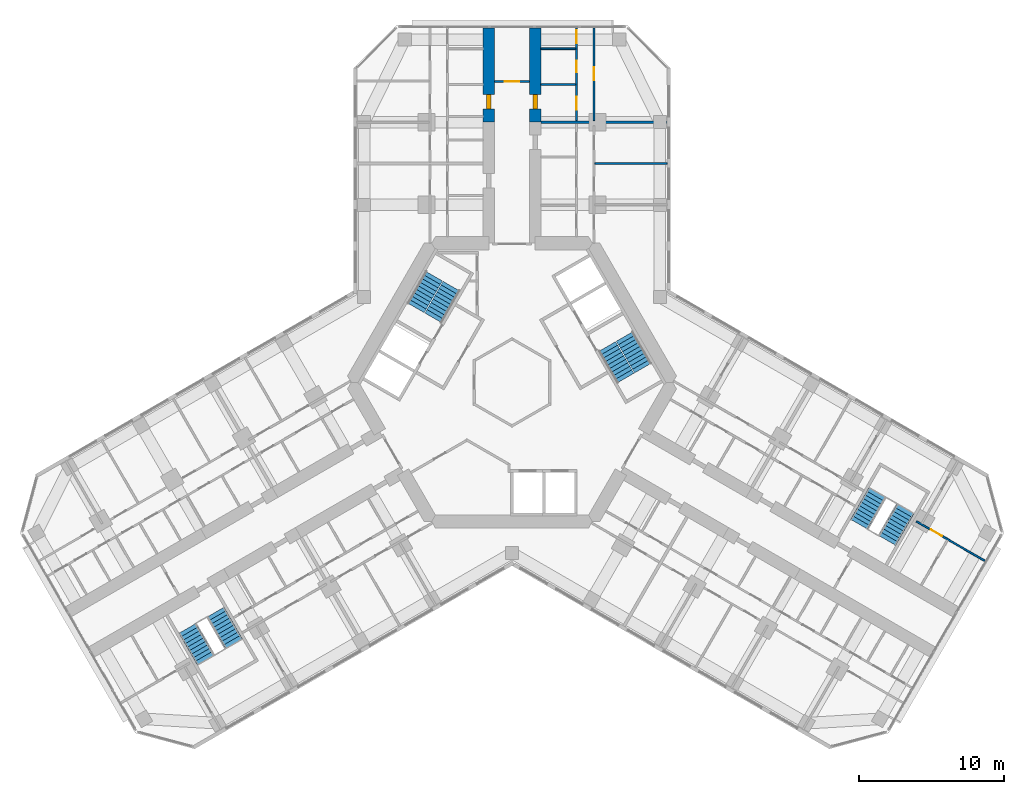
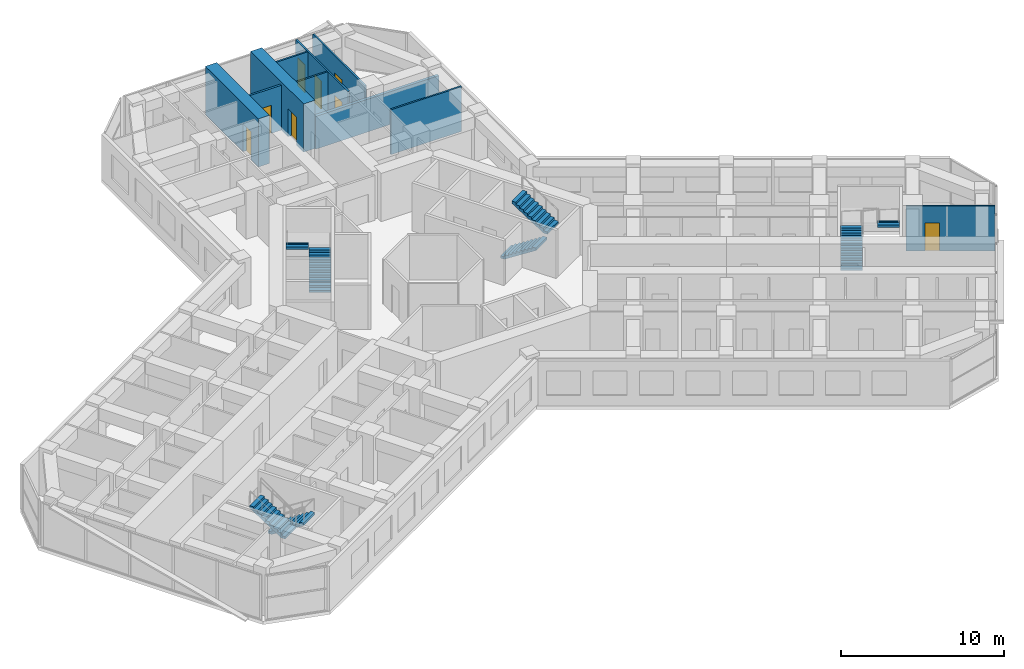
# One storey, part 18 of 19: 10 walls, 8 doors, 8 stair flights, 8 openings, 4 elements without a shape of their own.
"""IFC4 building model written with IfcOpenShell, lengths in metres."""

from ifc_helpers import new_model, si_unit, direction, frame, frame_2d, origin, place, context, subcontext, project, spatial, polyline, rectangle, outline, extrude, material, layer, layer_set, type_object, element, fill, aggregate, save


model = new_model("IFC4")

# Units and contexts
model_context = context("Model", 3, precision=1e-05, world=origin(), true_north=direction((0.0, 1.0)))
body_context = subcontext(model_context, "Body", "Model", "MODEL_VIEW")
ifc_project = project(units=[si_unit("LENGTHUNIT", "METRE"), si_unit("AREAUNIT", "SQUARE_METRE"), si_unit("VOLUMEUNIT", "CUBIC_METRE"), si_unit("PLANEANGLEUNIT", "RADIAN"), si_unit("MASSUNIT", "GRAM", prefix="KILO")], contexts=[model_context])

# Site, building, storey
site_placement = place(None, origin())
site = spatial("IfcSite", under=ifc_project, at=site_placement, CompositionType="ELEMENT")
building_placement = place(site_placement, origin())
building = spatial("IfcBuilding", under=site, at=building_placement, Name="Kosmar Iwan School Tower", CompositionType="ELEMENT")
storey_placement = place(building_placement, frame((0.0, 0.0, 158.0)))
storey = spatial("IfcBuildingStorey", under=building, at=storey_placement, Name="L39", CompositionType="ELEMENT", Elevation=158.0)

# Wall, opening, door
ifc_material_1 = material(Name="Concrete C50/60", Category="concrete")
ifc_layer_1 = layer(ifc_material_1, 0.800048828125)
ifc_layer_set_1 = layer_set([ifc_layer_1], Name="Corridor buttress wall 800")
wall_type_1 = type_object("IfcWallType", Name="Corridor buttress wall 800", PredefinedType="SHEAR", material=ifc_layer_set_1)
wall_1_placement = place(storey_placement, frame((-1.60009765625, 17.949951171875, 0.0), z_axis=(0.0, 0.0, 1.0), x_axis=(0.0, 1.0, 0.0)))
wall_1 = element("IfcWall", 1, at=wall_1_placement, inside=storey, type_object=wall_type_1, Name="Corridor wall AL bay 2", PredefinedType="SHEAR", context=body_context, shape_type="SweptSolid", body=[
    extrude(rectangle(XDim=6.4951171875, YDim=0.800048828125, at=frame_2d((3.24755859375, 0.0))), origin(), (0.0, 0.0, 1.0), 3.60009765625),
])
opening_1_placement = place(wall_1_placement, frame((0.89990234375, 0.0, 0.0)))
opening_1 = element("IfcOpeningElement", 2, at=opening_1_placement, cuts=wall_1, Name="Opening D1", PredefinedType="OPENING", context=body_context, shape_type="SweptSolid", body=[
    extrude(rectangle(XDim=1.0, YDim=2.10009765625, at=frame_2d((0.5, 1.050048828125))), frame((0.0, 0.412109375, 0.0), z_axis=(0.0, -1.0, 0.0), x_axis=(1.0, 0.0, 0.0)), (0.0, 0.0, 1.0), 0.823974609375),
])
ifc_material_2 = material(Name="Timber fire door in steel frame", Category="steel")
door_type_1 = type_object("IfcDoorType", Name="Flat entrance door 1000x2100", OperationType="SINGLE_SWING_LEFT", PredefinedType="DOOR", material=ifc_material_2)
door_1_placement = place(opening_1_placement, origin())
door_1 = element("IfcDoor", 3, at=door_1_placement, inside=storey, type_object=door_type_1, Name="Flat L39-AL2 entrance door", OperationType="SINGLE_SWING_LEFT", OverallHeight=2.10009765625, OverallWidth=1.0, PredefinedType="DOOR", context=body_context, shape_type="SweptSolid", body=[
    extrude(rectangle(XDim=1.0, YDim=2.10009765625, at=frame_2d((0.5, 1.050048828125))), frame((0.0, 0.14990234375, 0.0), z_axis=(0.0, -1.0, 0.0), x_axis=(1.0, 0.0, 0.0)), (0.0, 0.0, 1.0), 0.300048828125),
])
fill(opening_1, door_1)

wall_2_placement = place(storey_placement, frame((1.60009765625, 17.949951171875, 0.0), z_axis=(0.0, 0.0, 1.0), x_axis=(0.0, 1.0, 0.0)))
wall_2 = element("IfcWall", 4, at=wall_2_placement, inside=storey, type_object=wall_type_1, Name="Corridor wall AR bay 2", PredefinedType="SHEAR", context=body_context, shape_type="SweptSolid", body=[
    extrude(rectangle(XDim=6.4951171875, YDim=0.800048828125, at=frame_2d((3.24755859375, 0.0))), origin(), (0.0, 0.0, 1.0), 3.60009765625),
])
opening_2_placement = place(wall_2_placement, frame((0.89990234375, 0.0, 0.0)))
opening_2 = element("IfcOpeningElement", 5, at=opening_2_placement, cuts=wall_2, Name="Opening D1", PredefinedType="OPENING", context=body_context, shape_type="SweptSolid", body=[
    extrude(rectangle(XDim=1.0, YDim=2.10009765625, at=frame_2d((0.5, 1.050048828125))), frame((0.0, 0.412109375, 0.0), z_axis=(0.0, -1.0, 0.0), x_axis=(1.0, 0.0, 0.0)), (0.0, 0.0, 1.0), 0.823974609375),
])
door_2_placement = place(opening_2_placement, origin())
door_2 = element("IfcDoor", 6, at=door_2_placement, inside=storey, type_object=door_type_1, Name="Flat L39-AR2 entrance door", OperationType="SINGLE_SWING_RIGHT", OverallHeight=2.10009765625, OverallWidth=1.0, PredefinedType="DOOR", context=body_context, shape_type="SweptSolid", body=[
    extrude(rectangle(XDim=1.0, YDim=2.10009765625, at=frame_2d((0.5, 1.050048828125))), frame((0.0, 0.14990234375, 0.0), z_axis=(0.0, -1.0, 0.0), x_axis=(1.0, 0.0, 0.0)), (0.0, 0.0, 1.0), 0.300048828125),
])
fill(opening_2, door_2)

ifc_material_3 = material(Name="Gypsum board on steel studs, fire-rated", Category="steel")
ifc_layer_2 = layer(ifc_material_3, 0.14990234375)
ifc_layer_set_2 = layer_set([ifc_layer_2], Name="Corridor end wall 150")
wall_type_2 = type_object("IfcWallType", Name="Corridor end wall 150", PredefinedType="PARTITIONING", material=ifc_layer_set_2)
wall_3_placement = place(storey_placement, frame((1.199951171875, 20.75, 0.0), z_axis=(0.0, 0.0, 1.0), x_axis=(-1.0, 0.0, 0.0)))
wall_3 = element("IfcWall", 7, at=wall_3_placement, inside=storey, type_object=wall_type_2, Name="Partition L39-A-CE", PredefinedType="PARTITIONING", context=body_context, shape_type="SweptSolid", body=[
    extrude(rectangle(XDim=2.39990234375, YDim=0.14990234375, at=frame_2d((1.199951171875, 0.0))), origin(), (0.0, 0.0, 1.0), 3.35009765625),
])
opening_3_placement = place(wall_3_placement, frame((0.699951171875, 0.0, 0.0)))
opening_3 = element("IfcOpeningElement", 8, at=opening_3_placement, cuts=wall_3, Name="Opening D13", PredefinedType="OPENING", context=body_context, shape_type="SweptSolid", body=[
    extrude(rectangle(XDim=1.0, YDim=2.10009765625, at=frame_2d((0.5, 1.050048828125))), frame((0.0, 0.0869140625, 0.0), z_axis=(0.0, -1.0, 0.0), x_axis=(1.0, 0.0, 0.0)), (0.0, 0.0, 1.0), 0.173828125),
])
ifc_material_4 = material(Name="Timber fire door with vision panel", Category="wood")
door_type_2 = type_object("IfcDoorType", Name="Corridor end door 1000x2100", OperationType="SINGLE_SWING_LEFT", PredefinedType="DOOR", material=ifc_material_4)
door_3_placement = place(opening_3_placement, origin())
door_3 = element("IfcDoor", 9, at=door_3_placement, inside=storey, type_object=door_type_2, Name="Prayer room door L39-A", OperationType="SINGLE_SWING_RIGHT", OverallHeight=2.10009765625, OverallWidth=1.0, PredefinedType="DOOR", context=body_context, shape_type="SweptSolid", body=[
    extrude(rectangle(XDim=1.0, YDim=2.10009765625, at=frame_2d((0.5, 1.050048828125))), frame((0.0, 0.02490234375, 0.0), z_axis=(0.0, -1.0, 0.0), x_axis=(1.0, 0.0, 0.0)), (0.0, 0.0, 1.0), 0.050048828125),
])
fill(opening_3, door_3)

# Wall
ifc_material_5 = material(Name="Gypsum board on steel studs", Category="steel")
ifc_layer_3 = layer(ifc_material_5, 0.1201171875)
ifc_layer_set_3 = layer_set([ifc_layer_3], Name="Dwelling partition 120")
wall_type_3 = type_object("IfcWallType", Name="Dwelling partition 120", PredefinedType="PARTITIONING", material=ifc_layer_set_3)
wall_4_placement = place(storey_placement, frame((5.7099609375, 15.10009765625, 0.0), z_axis=(0.0, 0.0, 1.0), x_axis=(1.0, 0.0, 0.0)))
element("IfcWall", 10, at=wall_4_placement, inside=storey, type_object=wall_type_3, Name="Partition L39-AR1-X2", PredefinedType="PARTITIONING", context=body_context, shape_type="SweptSolid", body=[
    extrude(rectangle(XDim=4.989990234375, YDim=0.1201171875, at=frame_2d((2.4951171875, 0.0))), origin(), (0.0, 0.0, 1.0), 3.35009765625),
])

# Wall, openings, doors
wall_5_placement = place(storey_placement, frame((4.449951171875, 18.050048828125, 0.0), z_axis=(0.0, 0.0, 1.0), x_axis=(0.0, 1.0, 0.0)))
wall_5 = element("IfcWall", 11, at=wall_5_placement, inside=storey, type_object=wall_type_3, Name="Partition L39-AR2-W1", PredefinedType="PARTITIONING", context=body_context, shape_type="SweptSolid", body=[
    extrude(rectangle(XDim=6.39501953125, YDim=0.1201171875, at=frame_2d((3.197509765625, 0.0))), origin(), (0.0, 0.0, 1.0), 3.35009765625),
])
opening_4_placement = place(wall_5_placement, frame((0.75, 0.0, 0.0)))
opening_4 = element("IfcOpeningElement", 12, at=opening_4_placement, cuts=wall_5, Name="Opening D2", PredefinedType="OPENING", context=body_context, shape_type="SweptSolid", body=[
    extrude(rectangle(XDim=0.89990234375, YDim=2.10009765625, at=frame_2d((0.449951171875, 1.050048828125))), frame((0.0, 0.072021484375, 0.0), z_axis=(0.0, -1.0, 0.0), x_axis=(1.0, 0.0, 0.0)), (0.0, 0.0, 1.0), 0.14404296875),
])
opening_5_placement = place(wall_5_placement, frame((3.330078125, 0.0, 0.0)))
opening_5 = element("IfcOpeningElement", 13, at=opening_5_placement, cuts=wall_5, Name="Opening D3", PredefinedType="OPENING", context=body_context, shape_type="SweptSolid", body=[
    extrude(rectangle(XDim=0.800048828125, YDim=2.10009765625, at=frame_2d((0.39990234375, 1.050048828125))), frame((0.0, 0.072021484375, 0.0), z_axis=(0.0, -1.0, 0.0), x_axis=(1.0, 0.0, 0.0)), (0.0, 0.0, 1.0), 0.14404296875),
])
opening_6_placement = place(wall_5_placement, frame((5.330078125, 0.0, 0.0)))
opening_6 = element("IfcOpeningElement", 14, at=opening_6_placement, cuts=wall_5, Name="Opening D2", PredefinedType="OPENING", context=body_context, shape_type="SweptSolid", body=[
    extrude(rectangle(XDim=0.89990234375, YDim=2.10009765625, at=frame_2d((0.449951171875, 1.050048828125))), frame((0.0, 0.072021484375, 0.0), z_axis=(0.0, -1.0, 0.0), x_axis=(1.0, 0.0, 0.0)), (0.0, 0.0, 1.0), 0.14404296875),
])
ifc_material_6 = material(Name="Timber door in timber frame", Category="wood")
door_type_3 = type_object("IfcDoorType", Name="Internal door 900x2100", OperationType="SINGLE_SWING_LEFT", PredefinedType="DOOR", material=ifc_material_6)
door_4_placement = place(opening_4_placement, origin())
door_4 = element("IfcDoor", 15, at=door_4_placement, inside=storey, type_object=door_type_3, Name="Entrance hall door L39-AR2-S1", OperationType="SINGLE_SWING_RIGHT", OverallHeight=2.10009765625, OverallWidth=0.89990234375, PredefinedType="DOOR", context=body_context, shape_type="SweptSolid", body=[
    extrude(rectangle(XDim=0.89990234375, YDim=2.10009765625, at=frame_2d((0.449951171875, 1.050048828125))), frame((0.0, 0.02490234375, 0.0), z_axis=(0.0, -1.0, 0.0), x_axis=(1.0, 0.0, 0.0)), (0.0, 0.0, 1.0), 0.050048828125),
])
fill(opening_4, door_4)
door_5_placement = place(opening_6_placement, origin())
door_5 = element("IfcDoor", 16, at=door_5_placement, inside=storey, type_object=door_type_3, Name="Pantry door L39-AR2-S3", OperationType="SINGLE_SWING_RIGHT", OverallHeight=2.10009765625, OverallWidth=0.89990234375, PredefinedType="DOOR", context=body_context, shape_type="SweptSolid", body=[
    extrude(rectangle(XDim=0.89990234375, YDim=2.10009765625, at=frame_2d((0.449951171875, 1.050048828125))), frame((0.0, 0.02490234375, 0.0), z_axis=(0.0, -1.0, 0.0), x_axis=(1.0, 0.0, 0.0)), (0.0, 0.0, 1.0), 0.050048828125),
])
fill(opening_6, door_5)
ifc_material_7 = material(Name="Timber door in timber frame", Category="wood")
door_type_4 = type_object("IfcDoorType", Name="Sanitary room door 800x2100", OperationType="SINGLE_SWING_LEFT", PredefinedType="DOOR", material=ifc_material_7)
door_6_placement = place(opening_5_placement, origin())
door_6 = element("IfcDoor", 17, at=door_6_placement, inside=storey, type_object=door_type_4, Name="Bathroom door L39-AR2-S2", OperationType="SINGLE_SWING_LEFT", OverallHeight=2.10009765625, OverallWidth=0.800048828125, PredefinedType="DOOR", context=body_context, shape_type="SweptSolid", body=[
    extrude(rectangle(XDim=0.800048828125, YDim=2.10009765625, at=frame_2d((0.39990234375, 1.050048828125))), frame((0.0, 0.02490234375, 0.0), z_axis=(0.0, -1.0, 0.0), x_axis=(1.0, 0.0, 0.0)), (0.0, 0.0, 1.0), 0.050048828125),
])
fill(opening_5, door_6)

# Wall, opening, door
wall_6_placement = place(storey_placement, frame((5.64990234375, 18.050048828125, 0.0), z_axis=(0.0, 0.0, 1.0), x_axis=(0.0, 1.0, 0.0)))
wall_6 = element("IfcWall", 18, at=wall_6_placement, inside=storey, type_object=wall_type_3, Name="Partition L39-AR2-W2", PredefinedType="PARTITIONING", context=body_context, shape_type="SweptSolid", body=[
    extrude(rectangle(XDim=6.39501953125, YDim=0.1201171875, at=frame_2d((3.197509765625, 0.0))), origin(), (0.0, 0.0, 1.0), 3.35009765625),
])
opening_7_placement = place(wall_6_placement, frame((2.800048828125, 0.0, 0.0)))
opening_7 = element("IfcOpeningElement", 19, at=opening_7_placement, cuts=wall_6, Name="Opening D2", PredefinedType="OPENING", context=body_context, shape_type="SweptSolid", body=[
    extrude(rectangle(XDim=0.89990234375, YDim=2.10009765625, at=frame_2d((0.449951171875, 1.050048828125))), frame((0.0, 0.072021484375, 0.0), z_axis=(0.0, -1.0, 0.0), x_axis=(1.0, 0.0, 0.0)), (0.0, 0.0, 1.0), 0.14404296875),
])
door_7_placement = place(opening_7_placement, origin())
door_7 = element("IfcDoor", 20, at=door_7_placement, inside=storey, type_object=door_type_3, Name="Studio living room and kitchen door L39-AR2-F1", OperationType="SINGLE_SWING_RIGHT", OverallHeight=2.10009765625, OverallWidth=0.89990234375, PredefinedType="DOOR", context=body_context, shape_type="SweptSolid", body=[
    extrude(rectangle(XDim=0.89990234375, YDim=2.10009765625, at=frame_2d((0.449951171875, 1.050048828125))), frame((0.0, 0.02490234375, 0.0), z_axis=(0.0, -1.0, 0.0), x_axis=(1.0, 0.0, 0.0)), (0.0, 0.0, 1.0), 0.050048828125),
])
fill(opening_7, door_7)

# Walls
for number, where, z_axis, x_axis, name in (
    (21, (2.0, 20.550048828125, 0.0), (0.0, 0.0, 1.0), (1.0, 0.0, 0.0), "Partition L39-AR2-Y1"),
    (22, (2.0, 23.010009765625, 0.0), (0.0, 0.0, 1.0), (1.0, 0.0, 0.0), "Partition L39-AR2-Y2"),
):
    element("IfcWall", number, at=place(storey_placement, frame(where, z_axis=z_axis, x_axis=x_axis)), inside=storey, type_object=wall_type_3, Name=name, PredefinedType="PARTITIONING", context=body_context, shape_type="SweptSolid", body=[
        extrude(rectangle(XDim=2.389892578125, YDim=0.1201171875, at=frame_2d((1.19482421875, 0.0))), origin(), (0.0, 0.0, 1.0), 3.35009765625),
    ])

# Wall, opening, door
wall_7_placement = place(storey_placement, frame((27.896484375, -9.58203125, 0.0), z_axis=(0.0, 0.0, 1.0), x_axis=(0.866035508231, -0.499982498177, 0.0)))
wall_7 = element("IfcWall", 23, at=wall_7_placement, inside=storey, type_object=wall_type_3, Name="Partition L39-CL2-TW", PredefinedType="PARTITIONING", context=body_context, shape_type="SweptSolid", body=[
    extrude(rectangle(XDim=5.445068359375, YDim=0.1201171875, at=frame_2d((2.72265625, 0.0))), origin(), (0.0, 0.0, 1.0), 3.35009765625),
])
opening_8_placement = place(wall_7_placement, frame((1.14990234375, 0.0, 0.0)))
opening_8 = element("IfcOpeningElement", 24, at=opening_8_placement, cuts=wall_7, Name="Opening D2", PredefinedType="OPENING", context=body_context, shape_type="SweptSolid", body=[
    extrude(rectangle(XDim=0.89990234375, YDim=2.10009765625, at=frame_2d((0.449951171875, 1.050048828125))), frame((0.0, 0.072021484375, 0.0), z_axis=(0.0, -1.0, 0.0), x_axis=(1.0, 0.0, 0.0)), (0.0, 0.0, 1.0), 0.14404296875),
])
door_8_placement = place(opening_8_placement, origin())
door_8 = element("IfcDoor", 25, at=door_8_placement, inside=storey, type_object=door_type_3, Name="Dressing room door L39-CL2-T3", OperationType="SINGLE_SWING_LEFT", OverallHeight=2.10009765625, OverallWidth=0.89990234375, PredefinedType="DOOR", context=body_context, shape_type="SweptSolid", body=[
    extrude(rectangle(XDim=0.89990234375, YDim=2.10009765625, at=frame_2d((0.449951171875, 1.050048828125))), frame((0.0, 0.02490234375, 0.0), z_axis=(0.0, -1.0, 0.0), x_axis=(1.0, 0.0, 0.0)), (0.0, 0.0, 1.0), 0.050048828125),
])
fill(opening_8, door_8)

# Wall
ifc_material_8 = material(Name="Concrete block masonry", Category="masonry")
ifc_layer_4 = layer(ifc_material_8, 0.199951171875)
ifc_layer_set_4 = layer_set([ifc_layer_4], Name="Party wall 200")
wall_type_4 = type_object("IfcWallType", Name="Party wall 200", PredefinedType="PARTITIONING", material=ifc_layer_set_4)
wall_8_placement = place(storey_placement, frame((2.0, 17.949951171875, 0.0), z_axis=(0.0, 0.0, 1.0), x_axis=(1.0, 0.0, 0.0)))
element("IfcWall", 26, at=wall_8_placement, inside=storey, type_object=wall_type_4, Name="Partition L39-AR2-PW", PredefinedType="PARTITIONING", context=body_context, shape_type="SweptSolid", body=[
    extrude(rectangle(XDim=8.699951171875, YDim=0.199951171875, at=frame_2d((4.35009765625, 0.0))), origin(), (0.0, 0.0, 1.0), 2.449951171875),
])

# Stair, stair flights
ifc_material_9 = material(Name="Concrete C35/45", Category="concrete")
stair_type_1 = type_object("IfcStairType", Name="Escape stair 3600", PredefinedType="HALF_TURN_STAIR", material=ifc_material_9)
stair_1_placement = place(storey_placement, origin())
stair_1 = element("IfcStair", 27, at=stair_1_placement, inside=storey, type_object=stair_type_1, Name="Stair WS2 L39", PredefinedType="HALF_TURN_STAIR")
ifc_material_10 = material(Name="Concrete C35/45", Category="concrete")
stair_flight_type_1 = type_object("IfcStairFlightType", Name="Escape stair flight 1350", PredefinedType="STRAIGHT", material=ifc_material_10)
stair_flight_1_placement = place(storey_placement, frame((-20.44189453125, -15.843505859375, 0.0), z_axis=(0.0, 0.0, 1.0), x_axis=(0.5, -0.866025403784, 0.0)))
stair_flight_1 = element("IfcStairFlight", 28, at=stair_flight_1_placement, type_object=stair_flight_type_1, Name="WS2 flight 1", NumberOfRisers=10, NumberOfTreads=9, PredefinedType="STRAIGHT", RiserHeight=0.18, TreadLength=0.28, context=body_context, shape_type="SweptSolid", body=[
    extrude(outline(polyline([(0.0, 0.0), (0.0, 0.179931640625), (0.280029296875, 0.179931640625), (0.280029296875, 0.360107421875), (0.56005859375, 0.360107421875), (0.56005859375, 0.5400390625), (0.840087890625, 0.5400390625), (0.840087890625, 0.719970703125), (1.1201171875, 0.719970703125), (1.1201171875, 0.89990234375), (1.39990234375, 0.89990234375), (1.39990234375, 1.080078125), (1.679931640625, 1.080078125), (1.679931640625, 1.260009765625), (1.9599609375, 1.260009765625), (1.9599609375, 1.43994140625), (2.239990234375, 1.43994140625), (2.239990234375, 1.6201171875), (2.52001953125, 1.6201171875), (2.52001953125, 1.800048828125), (2.52001953125, 1.44189453125), (0.277099609375, 0.0), (0.0, 0.0)])), frame((0.0, 0.675048828125, 0.0), z_axis=(0.0, -1.0, 0.0), x_axis=(1.0, 0.0, 0.0)), (0.0, 0.0, 1.0), 1.35009765625),
])
stair_flight_2_placement = place(storey_placement, frame((-21.13037109375, -19.15087890625, 1.800048828125), z_axis=(0.0, 0.0, 1.0), x_axis=(-0.5, 0.866025403784, 0.0)))
stair_flight_2 = element("IfcStairFlight", 29, at=stair_flight_2_placement, type_object=stair_flight_type_1, Name="WS2 flight 2", NumberOfRisers=10, NumberOfTreads=9, PredefinedType="STRAIGHT", RiserHeight=0.18, TreadLength=0.28, context=body_context, shape_type="SweptSolid", body=[
    extrude(outline(polyline([(0.0, 0.0), (0.0, 0.179931640625), (0.280029296875, 0.179931640625), (0.280029296875, 0.360107421875), (0.56005859375, 0.360107421875), (0.56005859375, 0.5400390625), (0.840087890625, 0.5400390625), (0.840087890625, 0.719970703125), (1.1201171875, 0.719970703125), (1.1201171875, 0.89990234375), (1.39990234375, 0.89990234375), (1.39990234375, 1.080078125), (1.679931640625, 1.080078125), (1.679931640625, 1.260009765625), (1.9599609375, 1.260009765625), (1.9599609375, 1.43994140625), (2.239990234375, 1.43994140625), (2.239990234375, 1.6201171875), (2.52001953125, 1.6201171875), (2.52001953125, 1.800048828125), (2.52001953125, 1.44189453125), (0.277099609375, 0.0), (0.0, 0.0)])), frame((0.0, 0.675048828125, 0.0), z_axis=(0.0, -1.0, 0.0), x_axis=(1.0, 0.0, 0.0)), (0.0, 0.0, 1.0), 1.35009765625),
])
aggregate(stair_1, [stair_flight_1, stair_flight_2])

stair_2_placement = place(storey_placement, origin())
stair_2 = element("IfcStair", 30, at=stair_2_placement, inside=storey, type_object=stair_type_1, Name="Stair WS3 L39", PredefinedType="HALF_TURN_STAIR")
stair_flight_3_placement = place(storey_placement, frame((23.94189453125, -9.781494140625, 0.0), z_axis=(0.0, 0.0, 1.0), x_axis=(0.5, 0.866025403784, 0.0)))
stair_flight_3 = element("IfcStairFlight", 31, at=stair_flight_3_placement, type_object=stair_flight_type_1, Name="WS3 flight 1", NumberOfRisers=10, NumberOfTreads=9, PredefinedType="STRAIGHT", RiserHeight=0.18, TreadLength=0.28, context=body_context, shape_type="SweptSolid", body=[
    extrude(outline(polyline([(0.0, 0.0), (0.0, 0.179931640625), (0.280029296875, 0.179931640625), (0.280029296875, 0.360107421875), (0.56005859375, 0.360107421875), (0.56005859375, 0.5400390625), (0.840087890625, 0.5400390625), (0.840087890625, 0.719970703125), (1.1201171875, 0.719970703125), (1.1201171875, 0.89990234375), (1.39990234375, 0.89990234375), (1.39990234375, 1.080078125), (1.679931640625, 1.080078125), (1.679931640625, 1.260009765625), (1.9599609375, 1.260009765625), (1.9599609375, 1.43994140625), (2.239990234375, 1.43994140625), (2.239990234375, 1.6201171875), (2.52001953125, 1.6201171875), (2.52001953125, 1.800048828125), (2.52001953125, 1.44189453125), (0.277099609375, 0.0), (0.0, 0.0)])), frame((0.0, 0.675048828125, 0.0), z_axis=(0.0, -1.0, 0.0), x_axis=(1.0, 0.0, 0.0)), (0.0, 0.0, 1.0), 1.35009765625),
])
stair_flight_4_placement = place(storey_placement, frame((27.150390625, -8.72412109375, 1.800048828125), z_axis=(0.0, 0.0, 1.0), x_axis=(-0.5, -0.866025403784, 0.0)))
stair_flight_4 = element("IfcStairFlight", 32, at=stair_flight_4_placement, type_object=stair_flight_type_1, Name="WS3 flight 2", NumberOfRisers=10, NumberOfTreads=9, PredefinedType="STRAIGHT", RiserHeight=0.18, TreadLength=0.28, context=body_context, shape_type="SweptSolid", body=[
    extrude(outline(polyline([(0.0, 0.0), (0.0, 0.179931640625), (0.280029296875, 0.179931640625), (0.280029296875, 0.360107421875), (0.56005859375, 0.360107421875), (0.56005859375, 0.5400390625), (0.840087890625, 0.5400390625), (0.840087890625, 0.719970703125), (1.1201171875, 0.719970703125), (1.1201171875, 0.89990234375), (1.39990234375, 0.89990234375), (1.39990234375, 1.080078125), (1.679931640625, 1.080078125), (1.679931640625, 1.260009765625), (1.9599609375, 1.260009765625), (1.9599609375, 1.43994140625), (2.239990234375, 1.43994140625), (2.239990234375, 1.6201171875), (2.52001953125, 1.6201171875), (2.52001953125, 1.800048828125), (2.52001953125, 1.44189453125), (0.277099609375, 0.0), (0.0, 0.0)])), frame((0.0, 0.675048828125, 0.0), z_axis=(0.0, -1.0, 0.0), x_axis=(1.0, 0.0, 0.0)), (0.0, 0.0, 1.0), 1.35009765625),
])
aggregate(stair_2, [stair_flight_3, stair_flight_4])

ifc_material_11 = material(Name="Concrete C35/45", Category="concrete")
stair_type_2 = type_object("IfcStairType", Name="Core stair 2750", PredefinedType="HALF_TURN_STAIR", material=ifc_material_11)
stair_3_placement = place(storey_placement, origin())
stair_3 = element("IfcStair", 33, at=stair_3_placement, inside=storey, type_object=stair_type_2, Name="Stair ST2 L39", PredefinedType="HALF_TURN_STAIR")
ifc_material_12 = material(Name="Concrete C35/45", Category="concrete")
stair_flight_type_2 = type_object("IfcStairFlightType", Name="Stair flight 1350", PredefinedType="STRAIGHT", material=ifc_material_12)
stair_flight_5_placement = place(storey_placement, frame((-5.42724609375, 4.44970703125, 0.0), z_axis=(0.0, 0.0, 1.0), x_axis=(0.5, 0.866025403784, 0.0)))
stair_flight_5 = element("IfcStairFlight", 34, at=stair_flight_5_placement, type_object=stair_flight_type_2, Name="ST2 flight 1", NumberOfRisers=10, NumberOfTreads=9, PredefinedType="STRAIGHT", RiserHeight=0.18, TreadLength=0.28, context=body_context, shape_type="SweptSolid", body=[
    extrude(outline(polyline([(0.0, 0.0), (0.0, 0.179931640625), (0.280029296875, 0.179931640625), (0.280029296875, 0.360107421875), (0.56005859375, 0.360107421875), (0.56005859375, 0.5400390625), (0.840087890625, 0.5400390625), (0.840087890625, 0.719970703125), (1.1201171875, 0.719970703125), (1.1201171875, 0.89990234375), (1.39990234375, 0.89990234375), (1.39990234375, 1.080078125), (1.679931640625, 1.080078125), (1.679931640625, 1.260009765625), (1.9599609375, 1.260009765625), (1.9599609375, 1.43994140625), (2.239990234375, 1.43994140625), (2.239990234375, 1.6201171875), (2.52001953125, 1.6201171875), (2.52001953125, 1.800048828125), (2.52001953125, 1.44189453125), (0.277099609375, 0.0), (0.0, 0.0)])), frame((0.0, 0.675048828125, 0.0), z_axis=(0.0, -1.0, 0.0), x_axis=(1.0, 0.0, 0.0)), (0.0, 0.0, 1.0), 1.35009765625),
])
stair_flight_6_placement = place(storey_placement, frame((-5.379638671875, 7.33203125, 1.800048828125), z_axis=(0.0, 0.0, 1.0), x_axis=(-0.5, -0.866025403784, 0.0)))
stair_flight_6 = element("IfcStairFlight", 35, at=stair_flight_6_placement, type_object=stair_flight_type_2, Name="ST2 flight 2", NumberOfRisers=10, NumberOfTreads=9, PredefinedType="STRAIGHT", RiserHeight=0.18, TreadLength=0.28, context=body_context, shape_type="SweptSolid", body=[
    extrude(outline(polyline([(0.0, 0.0), (0.0, 0.179931640625), (0.280029296875, 0.179931640625), (0.280029296875, 0.360107421875), (0.56005859375, 0.360107421875), (0.56005859375, 0.5400390625), (0.840087890625, 0.5400390625), (0.840087890625, 0.719970703125), (1.1201171875, 0.719970703125), (1.1201171875, 0.89990234375), (1.39990234375, 0.89990234375), (1.39990234375, 1.080078125), (1.679931640625, 1.080078125), (1.679931640625, 1.260009765625), (1.9599609375, 1.260009765625), (1.9599609375, 1.43994140625), (2.239990234375, 1.43994140625), (2.239990234375, 1.6201171875), (2.52001953125, 1.6201171875), (2.52001953125, 1.800048828125), (2.52001953125, 1.44189453125), (0.277099609375, 0.0), (0.0, 0.0)])), frame((0.0, 0.675048828125, 0.0), z_axis=(0.0, -1.0, 0.0), x_axis=(1.0, 0.0, 0.0)), (0.0, 0.0, 1.0), 1.35009765625),
])
aggregate(stair_3, [stair_flight_5, stair_flight_6])

stair_4_placement = place(storey_placement, origin())
stair_4 = element("IfcStair", 36, at=stair_4_placement, inside=storey, type_object=stair_type_2, Name="Stair ST1 L39", PredefinedType="HALF_TURN_STAIR")
stair_flight_7_placement = place(storey_placement, frame((6.567138671875, 2.475341796875, 0.0), z_axis=(0.0, 0.0, 1.0), x_axis=(0.5, -0.866025403784, 0.0)))
stair_flight_7 = element("IfcStairFlight", 37, at=stair_flight_7_placement, type_object=stair_flight_type_2, Name="ST1 flight 1", NumberOfRisers=10, NumberOfTreads=9, PredefinedType="STRAIGHT", RiserHeight=0.18, TreadLength=0.28, context=body_context, shape_type="SweptSolid", body=[
    extrude(outline(polyline([(0.0, 0.0), (0.0, 0.179931640625), (0.280029296875, 0.179931640625), (0.280029296875, 0.360107421875), (0.56005859375, 0.360107421875), (0.56005859375, 0.5400390625), (0.840087890625, 0.5400390625), (0.840087890625, 0.719970703125), (1.1201171875, 0.719970703125), (1.1201171875, 0.89990234375), (1.39990234375, 0.89990234375), (1.39990234375, 1.080078125), (1.679931640625, 1.080078125), (1.679931640625, 1.260009765625), (1.9599609375, 1.260009765625), (1.9599609375, 1.43994140625), (2.239990234375, 1.43994140625), (2.239990234375, 1.6201171875), (2.52001953125, 1.6201171875), (2.52001953125, 1.800048828125), (2.52001953125, 1.44189453125), (0.277099609375, 0.0), (0.0, 0.0)])), frame((0.0, 0.675048828125, 0.0), z_axis=(0.0, -1.0, 0.0), x_axis=(1.0, 0.0, 0.0)), (0.0, 0.0, 1.0), 1.35009765625),
])
stair_flight_8_placement = place(storey_placement, frame((9.03955078125, 0.992919921875, 1.800048828125), z_axis=(0.0, 0.0, 1.0), x_axis=(-0.5, 0.866025403784, 0.0)))
stair_flight_8 = element("IfcStairFlight", 38, at=stair_flight_8_placement, type_object=stair_flight_type_2, Name="ST1 flight 2", NumberOfRisers=10, NumberOfTreads=9, PredefinedType="STRAIGHT", RiserHeight=0.18, TreadLength=0.28, context=body_context, shape_type="SweptSolid", body=[
    extrude(outline(polyline([(0.0, 0.0), (0.0, 0.179931640625), (0.280029296875, 0.179931640625), (0.280029296875, 0.360107421875), (0.56005859375, 0.360107421875), (0.56005859375, 0.5400390625), (0.840087890625, 0.5400390625), (0.840087890625, 0.719970703125), (1.1201171875, 0.719970703125), (1.1201171875, 0.89990234375), (1.39990234375, 0.89990234375), (1.39990234375, 1.080078125), (1.679931640625, 1.080078125), (1.679931640625, 1.260009765625), (1.9599609375, 1.260009765625), (1.9599609375, 1.43994140625), (2.239990234375, 1.43994140625), (2.239990234375, 1.6201171875), (2.52001953125, 1.6201171875), (2.52001953125, 1.800048828125), (2.52001953125, 1.44189453125), (0.277099609375, 0.0), (0.0, 0.0)])), frame((0.0, 0.675048828125, 0.0), z_axis=(0.0, -1.0, 0.0), x_axis=(1.0, 0.0, 0.0)), (0.0, 0.0, 1.0), 1.35009765625),
])
aggregate(stair_4, [stair_flight_7, stair_flight_8])

save(model, "model.ifc")
